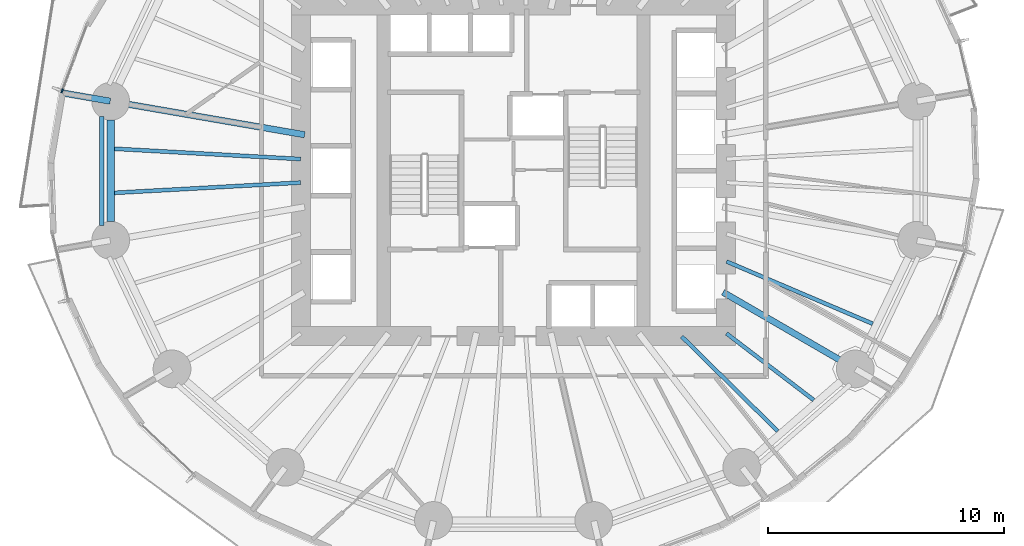
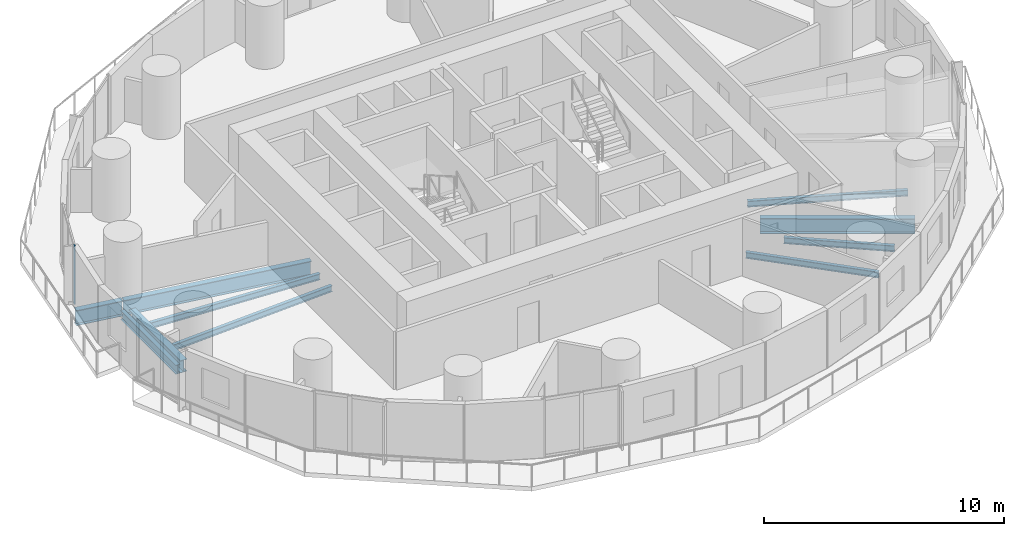
# One storey, part 3 of 14: 10 beams, 1 member, 1 element without a shape of its own.
"""IFC4 building model written with IfcOpenShell, lengths in metres."""

import ifcopenshell
import ifcopenshell.guid

model = None  # the IFC model being written
_history = None  # IfcOwnerHistory: only IFC2X3 demands one
_inside = {}  # id of a spatial element -> (the spatial element, [elements in it])
_under = {}  # id of a project, library or spatial element -> (it, [spatial elements below it])
_declared = {}  # id of a project -> (the project, [libraries it declares])
_typed = {}  # id of a type object -> (the type object, [elements of that type])
_made_of = {}  # id of a material, layer set ... -> (it, [elements and type objects made of it])


def new_model(schema):
    """Start an empty IFC model of exactly this schema.

    Asked for "IFC4X3", IfcOpenShell would pick the latest addendum, in which some entities
    have other attributes; the version numbers below select the first issue.
    IFC2X3 requires an IfcOwnerHistory on every rooted entity: one is made here for all.
    """
    global model, _history
    if schema == "IFC4X3":
        model = ifcopenshell.file(schema_version=(4, 3, 0, 0))
    else:
        model = ifcopenshell.file(schema=schema)
    _inside.clear()
    _under.clear()
    _declared.clear()
    _typed.clear()
    _made_of.clear()
    _history = None
    if model.schema == "IFC2X3":
        org = make("IfcOrganization", Name="unknown")
        user = make(
            "IfcPersonAndOrganization",
            ThePerson=make("IfcPerson", FamilyName="unknown"),
            TheOrganization=org,
        )
        app = make(
            "IfcApplication",
            ApplicationDeveloper=org,
            Version="unknown",
            ApplicationFullName="unknown",
            ApplicationIdentifier="unknown",
        )
        _history = make(
            "IfcOwnerHistory",
            OwningUser=user,
            OwningApplication=app,
            ChangeAction="ADDED",
            CreationDate=0,
        )
    return model


def make(cls, **values):
    """One entity of the class cls with the attributes given. An attribute that is None is left unset."""
    return model.create_entity(
        cls, **{name: value for name, value in values.items() if value is not None}
    )


def rooted(cls, **values):
    """An entity with a GlobalId (a new one), such as an element, a storey or a relation."""
    return make(cls, GlobalId=ifcopenshell.guid.new(), OwnerHistory=_history, **values)


def si_unit(unit_type, name, prefix=None):
    """IfcSIUnit, for example si_unit("LENGTHUNIT", "METRE", prefix="MILLI")."""
    return make("IfcSIUnit", UnitType=unit_type, Prefix=prefix, Name=name)


def assignment(units):
    """IfcUnitAssignment: the units of a project."""
    return None if units is None else make("IfcUnitAssignment", Units=units)


def point(xyz):
    """IfcCartesianPoint."""
    return None if xyz is None else make("IfcCartesianPoint", Coordinates=xyz)


def direction(xyz):
    """IfcDirection."""
    return None if xyz is None else make("IfcDirection", DirectionRatios=xyz)


def frame(location, z_axis=None, x_axis=None):
    """IfcAxis2Placement3D, a coordinate frame: its origin and axes. An axis left out is left unset."""
    return make(
        "IfcAxis2Placement3D",
        Location=point(location),
        Axis=direction(z_axis),
        RefDirection=direction(x_axis),
    )


def frame_2d(location, x_axis=None):
    """IfcAxis2Placement2D, a coordinate frame in the plane: its origin and x axis."""
    return make(
        "IfcAxis2Placement2D", Location=point(location), RefDirection=direction(x_axis)
    )


def origin():
    """The frame at (0, 0, 0) with its axes left unset."""
    return frame((0.0, 0.0, 0.0))


def origin_2d():
    """The frame at (0, 0) in the plane with its x axis left unset."""
    return frame_2d((0.0, 0.0))


def place(relative_to, where):
    """IfcLocalPlacement: puts the frame where relative to a parent placement (None: the world)."""
    return make(
        "IfcLocalPlacement", PlacementRelTo=relative_to, RelativePlacement=where
    )


def context(
    kind, dimensions, precision=None, world=None, true_north=None, identifier=None
):
    """IfcGeometricRepresentationContext, for example the 3D "Model" context."""
    return make(
        "IfcGeometricRepresentationContext",
        ContextIdentifier=identifier,
        ContextType=kind,
        CoordinateSpaceDimension=dimensions,
        Precision=precision,
        WorldCoordinateSystem=world,
        TrueNorth=true_north,
    )


def subcontext(parent, identifier, kind, view, scale=None):
    """IfcGeometricRepresentationSubContext, for example "Body" below "Model"."""
    return make(
        "IfcGeometricRepresentationSubContext",
        ContextIdentifier=identifier,
        ContextType=kind,
        ParentContext=parent,
        TargetScale=scale,
        TargetView=view,
    )


def project(units=None, contexts=None):
    """IfcProject with its units and contexts."""
    return rooted(
        "IfcProject",
        Name="project",
        RepresentationContexts=contexts,
        UnitsInContext=assignment(units),
    )


def spatial(cls, under=None, at=None, **own):
    """A site, building, storey or space (cls), placed at a placement, below another one or the project."""
    s = rooted(cls, ObjectPlacement=at, **own)
    if under is not None:
        _under.setdefault(under.id(), (under, []))[1].append(s)
    return s


def profile(cls, at=None, kind="AREA", **sizes):
    """A parametric profile (cls). Its sizes go by their IFC names, for example OverallWidth=200.0."""
    return make(cls, ProfileType=kind, Position=at, **sizes)


def rectangle(**sizes):
    """IfcRectangleProfileDef."""
    return profile("IfcRectangleProfileDef", **sizes)


def i_section(**sizes):
    """IfcIShapeProfileDef."""
    return profile("IfcIShapeProfileDef", **sizes)


def extrude(swept, where, along, depth):
    """IfcExtrudedAreaSolid: the profile swept, set in the frame where, extruded along a direction by depth."""
    return make(
        "IfcExtrudedAreaSolid",
        SweptArea=swept,
        Position=where,
        ExtrudedDirection=direction(along),
        Depth=depth,
    )


def shape(context_of_items, identifier, shape_type, items):
    """IfcShapeRepresentation: the items that make up one representation, for example the "Body"."""
    return make(
        "IfcShapeRepresentation",
        ContextOfItems=context_of_items,
        RepresentationIdentifier=identifier,
        RepresentationType=shape_type,
        Items=items,
    )


def material(Name=None, Category=None):
    """IfcMaterial."""
    return make("IfcMaterial", Name=Name, Category=Category)


def material_profile(
    of_material, cross_section, Name=None, Category=None, Priority=None
):
    """IfcMaterialProfile: a cross section and its material."""
    return make(
        "IfcMaterialProfile",
        Name=Name,
        Material=of_material,
        Profile=cross_section,
        Priority=Priority,
        Category=Category,
    )


def profile_set(profiles, Name=None, composite=None):
    """IfcMaterialProfileSet."""
    return make(
        "IfcMaterialProfileSet",
        Name=Name,
        MaterialProfiles=profiles,
        CompositeProfile=composite,
    )


def made_of(thing, what):
    """Note that an element or type object is made of a material, layer set ...; save() writes the relation."""
    if what is not None:
        _made_of.setdefault(what.id(), (what, []))[1].append(thing)
    return thing


def type_object(cls, material=None, **own):
    """A type object (cls), such as IfcWallType, which elements share."""
    return made_of(rooted(cls, **own), material)


def element(
    cls,
    number,
    at=None,
    inside=None,
    cuts=None,
    type_object=None,
    material=None,
    context=None,
    identifier="Body",
    shape_type=None,
    held_by="IfcProductDefinitionShape",
    body=None,
    shapes=None,
    **own,
):
    """One element of the class cls, such as IfcWall. Its Tag is "e" and its number.

    at: its placement. inside: the storey or other place that contains it. cuts: it is an
    opening in that element (IfcRelVoidsElement). A single representation is given by context,
    identifier, shape_type and body (its items); several are given by shapes. held_by: the class
    of the entity that holds the representations. save() writes the other relations.
    """
    e = rooted(cls, Tag="e%d" % number, ObjectPlacement=at, **own)
    if body is not None:
        shapes = [shape(context, identifier, shape_type, body)]
    if shapes is not None:
        e.Representation = make(held_by, Representations=shapes)
    if inside is not None:
        _inside.setdefault(inside.id(), (inside, []))[1].append(e)
    if cuts is not None:
        rooted(
            "IfcRelVoidsElement", RelatingBuildingElement=cuts, RelatedOpeningElement=e
        )
    if type_object is not None:
        _typed.setdefault(type_object.id(), (type_object, []))[1].append(e)
    return made_of(e, material)


def aggregate(whole, parts):
    """IfcRelAggregates: a whole, such as a stair, and the parts it consists of."""
    return rooted("IfcRelAggregates", RelatingObject=whole, RelatedObjects=parts)


def save(model, path):
    """Write the relations noted so far, then the file.

    IfcRelAggregates (storeys below a building ...), IfcRelContainedInSpatialStructure (elements
    in a storey), IfcRelDefinesByType, IfcRelAssociatesMaterial and IfcRelDeclares: one each for
    every whole, place, type object, material and project.
    """
    for whole, parts in _under.values():
        aggregate(whole, parts)
    for where, things in _inside.values():
        rooted(
            "IfcRelContainedInSpatialStructure",
            RelatedElements=things,
            RelatingStructure=where,
        )
    for kind, things in _typed.values():
        rooted("IfcRelDefinesByType", RelatedObjects=things, RelatingType=kind)
    for what, things in _made_of.values():
        rooted("IfcRelAssociatesMaterial", RelatedObjects=things, RelatingMaterial=what)
    for by, libraries in _declared.values():
        rooted("IfcRelDeclares", RelatingContext=by, RelatedDefinitions=libraries)
    model.write(path)


model = new_model("IFC4")

# Units and contexts
model_context = context("Model", 3, precision=1e-05, world=origin(), true_north=direction((0.0, 1.0)))
body_context = subcontext(model_context, "Body", "Model", "MODEL_VIEW")
ifc_project = project(units=[si_unit("LENGTHUNIT", "METRE"), si_unit("AREAUNIT", "SQUARE_METRE"), si_unit("VOLUMEUNIT", "CUBIC_METRE"), si_unit("PLANEANGLEUNIT", "RADIAN"), si_unit("MASSUNIT", "GRAM", prefix="KILO")], contexts=[model_context])

# Site, building, storey
site_placement = place(None, origin())
site = spatial("IfcSite", under=ifc_project, at=site_placement, CompositionType="ELEMENT")
building_placement = place(site_placement, origin())
building = spatial("IfcBuilding", under=site, at=building_placement, Name="Veldorim Arch Residences", CompositionType="ELEMENT")
storey_placement = place(building_placement, frame((0.0, 0.0, 40.800048828125)))
storey = spatial("IfcBuildingStorey", under=building, at=storey_placement, Name="L11", CompositionType="ELEMENT", Elevation=40.800048828125)

# Beams
ifc_material_1 = material(Name="Steel S355", Category="steel")
ifc_material_profile_1 = material_profile(ifc_material_1, i_section(OverallWidth=0.30712890625, OverallDepth=0.6201171875, WebThickness=0.01416015625, FlangeThickness=0.023681640625, at=origin_2d()), Name="UB610x305x179")
ifc_profile_set_1 = profile_set([ifc_material_profile_1], Name="Steel S355")
beam_type_1 = type_object("IfcBeamType", Name="Structural Steel Beam UB610x305x179", PredefinedType="BEAM", material=ifc_profile_set_1)
beam_1_placement = place(storey_placement, frame((14.934326171875, 26.14599609375, -0.550048828125), z_axis=(0.0, -1.0, 0.0), x_axis=(1.0, 0.0, 0.0)))
element("IfcBeam", 1, at=beam_1_placement, inside=storey, type_object=beam_type_1, Name="L11 perimeter ring tie beam 08", PredefinedType="BEAM", context=body_context, shape_type="SweptSolid", body=[
    extrude(i_section(OverallWidth=0.30712890625, OverallDepth=0.6201171875, WebThickness=0.01416015625, FlangeThickness=0.023681640625, at=origin_2d()), origin(), (0.0, 0.0, 1.0), 4.2919921875),
])
ifc_material_2 = material(Name="Steel S355", Category="steel")
ifc_material_profile_2 = material_profile(ifc_material_2, i_section(OverallWidth=0.26806640625, OverallDepth=0.769775390625, WebThickness=0.015625, FlangeThickness=0.025390625, at=origin_2d()), Name="UB762x267x197")
ifc_profile_set_2 = profile_set([ifc_material_profile_2], Name="Steel S355")
beam_type_2 = type_object("IfcBeamType", Name="Structural Steel GIRDER UB762x267x197", PredefinedType="USERDEFINED", material=ifc_profile_set_2)
beam_2_placement = place(storey_placement, frame((23.147705078125, 25.528076171875, -0.625), z_axis=(-0.985427548249, 0.170095699979, 0.0), x_axis=(-0.170095699979, -0.985427548249, 0.0)))
element("IfcBeam", 2, at=beam_2_placement, inside=storey, type_object=beam_type_2, Name="L11 radial floor girder 08", ObjectType="GIRDER", PredefinedType="USERDEFINED", context=body_context, shape_type="SweptSolid", body=[
    extrude(i_section(OverallWidth=0.26806640625, OverallDepth=0.769775390625, WebThickness=0.015625, FlangeThickness=0.025390625, at=origin_2d()), origin(), (0.0, 0.0, 1.0), 8.314697265625),
])
beam_3_placement = place(storey_placement, frame((14.91455078125, 26.94921875, -0.625), z_axis=(-0.985426816784, 0.170099937575, 0.0), x_axis=(-0.170099937575, -0.985426816784, 0.0)))
element("IfcBeam", 3, at=beam_3_placement, inside=storey, type_object=beam_type_2, Name="L11 radial edge cantilever girder 08", ObjectType="GIRDER", PredefinedType="USERDEFINED", context=body_context, shape_type="SweptSolid", body=[
    extrude(i_section(OverallWidth=0.26806640625, OverallDepth=0.769775390625, WebThickness=0.015625, FlangeThickness=0.025390625, at=origin_2d()), origin(), (0.0, 0.0, 1.0), 2.075439453125),
])
beam_4_placement = place(storey_placement, frame((40.8701171875, 18.8564453125, -0.625), z_axis=(0.865088348752, -0.501619525989, 0.0), x_axis=(0.501619525989, 0.865088348752, 0.0)))
element("IfcBeam", 4, at=beam_4_placement, inside=storey, type_object=beam_type_2, Name="L11 radial floor girder 15", ObjectType="GIRDER", PredefinedType="USERDEFINED", context=body_context, shape_type="SweptSolid", body=[
    extrude(i_section(OverallWidth=0.26806640625, OverallDepth=0.769775390625, WebThickness=0.015625, FlangeThickness=0.025390625, at=origin_2d()), origin(), (0.0, 0.0, 1.0), 6.4501953125),
])
ifc_material_3 = material(Name="Steel S355", Category="steel")
ifc_material_profile_3 = material_profile(ifc_material_3, i_section(OverallWidth=0.165771484375, OverallDepth=0.306640625, WebThickness=0.006591796875, FlangeThickness=0.01171875, at=origin_2d()), Name="UB305x165x46")
ifc_profile_set_3 = profile_set([ifc_material_profile_3], Name="Steel S355")
beam_type_3 = type_object("IfcBeamType", Name="Structural Steel Joist UB305x165x46", PredefinedType="JOIST", material=ifc_profile_set_3)
for number, where, z_axis, x_axis, name in (
    (5, (22.97998046875, 24.498291015625, -0.393310546875), (-0.998478371109, 0.055144740699, 0.0), (-0.055144740699, -0.998478371109, 0.0), "L11 secondary radial floor joist 08-1"),
    (6, (22.97998046875, 23.501708984375, -0.393310546875), (-0.998478371109, -0.055144740699, 0.0), (0.055144740699, -0.998478371109, 0.0), "L11 secondary radial floor joist 08-2"),
):
    element("IfcBeam", number, at=place(storey_placement, frame(where, z_axis=z_axis, x_axis=x_axis)), inside=storey, type_object=beam_type_3, Name=name, PredefinedType="JOIST", context=body_context, shape_type="SweptSolid", body=[
        extrude(i_section(OverallWidth=0.165771484375, OverallDepth=0.306640625, WebThickness=0.006591796875, FlangeThickness=0.01171875, at=origin_2d()), origin(), (0.0, 0.0, 1.0), 7.898193359375),
    ])
beam_5_placement = place(storey_placement, frame((39.114990234375, 16.986083984375, -0.393310546875), z_axis=(0.712129078446, -0.702048556463, 0.0), x_axis=(0.702048556463, 0.712129078446, 0.0)))
element("IfcBeam", 7, at=beam_5_placement, inside=storey, type_object=beam_type_3, Name="L11 secondary radial floor joist 14-1", PredefinedType="JOIST", context=body_context, shape_type="SweptSolid", body=[
    extrude(i_section(OverallWidth=0.165771484375, OverallDepth=0.306640625, WebThickness=0.006591796875, FlangeThickness=0.01171875, at=origin_2d()), origin(), (0.0, 0.0, 1.0), 5.715576171875),
])
beam_6_placement = place(storey_placement, frame((41.015869140625, 17.1123046875, -0.393310546875), z_axis=(0.794666431166, -0.607046343517, 0.0), x_axis=(0.607046343517, 0.794666431166, 0.0)))
element("IfcBeam", 8, at=beam_6_placement, inside=storey, type_object=beam_type_3, Name="L11 secondary radial floor joist 14-2", PredefinedType="JOIST", context=body_context, shape_type="SweptSolid", body=[
    extrude(i_section(OverallWidth=0.165771484375, OverallDepth=0.306640625, WebThickness=0.006591796875, FlangeThickness=0.01171875, at=origin_2d()), origin(), (0.0, 0.0, 1.0), 4.646728515625),
])
beam_7_placement = place(storey_placement, frame((41.018310546875, 20.15869140625, -0.393310546875), z_axis=(0.920032948668, -0.391841005213, 0.0), x_axis=(0.391841005213, 0.920032948668, 0.0)))
element("IfcBeam", 9, at=beam_7_placement, inside=storey, type_object=beam_type_3, Name="L11 secondary radial floor joist 15-1", PredefinedType="JOIST", context=body_context, shape_type="SweptSolid", body=[
    extrude(i_section(OverallWidth=0.165771484375, OverallDepth=0.306640625, WebThickness=0.006591796875, FlangeThickness=0.01171875, at=origin_2d()), origin(), (0.0, 0.0, 1.0), 6.723388671875),
])
ifc_material_4 = material(Name="Steel S355", Category="steel")
ifc_material_profile_4 = material_profile(ifc_material_4, i_section(OverallWidth=0.19140625, OverallDepth=0.4599609375, WebThickness=0.010009765625, FlangeThickness=0.01611328125, at=origin_2d()), Name="UB457x191x82")
ifc_profile_set_4 = profile_set([ifc_material_profile_4], Name="Steel S355")
beam_type_4 = type_object("IfcBeamType", Name="Structural Steel Spandrel UB457x191x82", PredefinedType="SPANDREL", material=ifc_profile_set_4)
beam_8_placement = place(storey_placement, frame((14.559814453125, 26.306396484375, -0.489990234375), z_axis=(0.0, -1.0, 0.0), x_axis=(1.0, 0.0, 0.0)))
element("IfcBeam", 10, at=beam_8_placement, inside=storey, type_object=beam_type_4, Name="L11 perimeter chord spandrel beam 08", PredefinedType="SPANDREL", context=body_context, shape_type="SweptSolid", body=[
    extrude(i_section(OverallWidth=0.19140625, OverallDepth=0.4599609375, WebThickness=0.010009765625, FlangeThickness=0.01611328125, at=origin_2d()), origin(), (0.0, 0.0, 1.0), 4.61279296875),
])

# Curtain wall, member
ifc_material_5 = material(Name="Aluminium", Category="aluminium")
curtain_wall_type = type_object("IfcCurtainWallType", Name="Zone 1 Acoustic Low-E Unitised Curtain Wall", PredefinedType="NOTDEFINED", material=ifc_material_5)
curtain_wall_placement = place(storey_placement, origin())
curtain_wall = element("IfcCurtainWall", 11, at=curtain_wall_placement, inside=storey, type_object=curtain_wall_type, Name="L11 unitised curtain wall bay 16", PredefinedType="NOTDEFINED")
ifc_material_6 = material(Name="Aluminium", Category="aluminium")
ifc_material_profile_5 = material_profile(ifc_material_6, rectangle(XDim=0.06494140625, YDim=0.175048828125, at=origin_2d()), Name="ALU_MUL_65x175")
ifc_profile_set_5 = profile_set([ifc_material_profile_5], Name="Aluminium")
member_type = type_object("IfcMemberType", Name="Zone 1 Acoustic Low-E Unitised Curtain Wall Mullion 65x175", PredefinedType="MULLION", material=ifc_profile_set_5)
member_placement = place(storey_placement, frame((12.877685546875, 27.38232421875, 0.0), z_axis=(0.0, 0.0, 1.0), x_axis=(-0.9356558675, 0.352913725454, 0.0)))
member = element("IfcMember", 12, at=member_placement, type_object=member_type, Name="CW-Z1 mullion 1", PredefinedType="MULLION", context=body_context, shape_type="SweptSolid", body=[
    extrude(rectangle(XDim=0.06494140625, YDim=0.175048828125, at=origin_2d()), origin(), (0.0, 0.0, 1.0), 2.9599609375),
])
aggregate(curtain_wall, [member])

save(model, "model.ifc")
